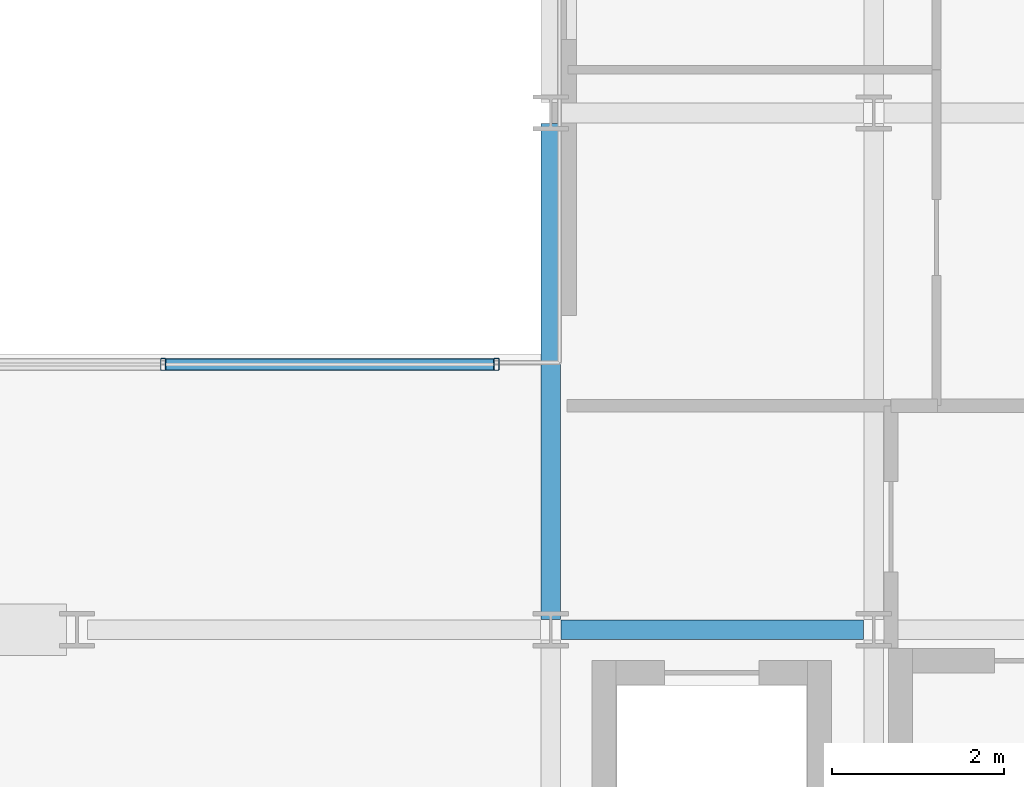
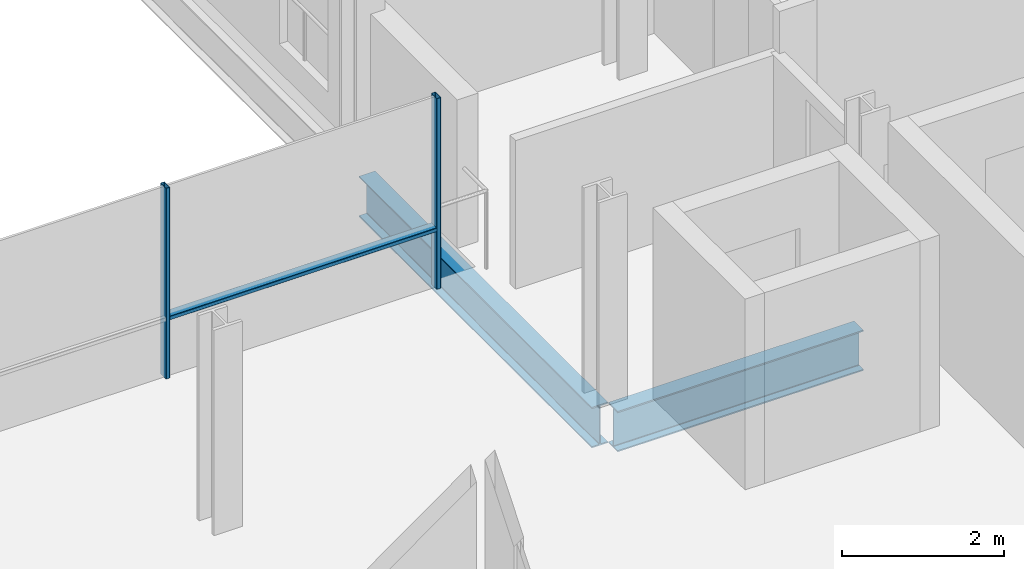
# One storey, part 13 of 39: 3 members, 2 beams, 1 element without a shape of its own.
"""IFC4 building model written with IfcOpenShell, lengths in metres."""

from ifc_helpers import new_model, si_unit, direction, frame, origin, origin_2d, place, context, subcontext, project, spatial, hollow_rectangle, i_section, extrude, material, layer, layer_set, material_profile, profile_set, type_object, element, aggregate, save


model = new_model("IFC4")

# Units and contexts
model_context = context("Model", 3, precision=1e-05, world=origin(), true_north=direction((0.0, 1.0)))
body_context = subcontext(model_context, "Body", "Model", "MODEL_VIEW")
ifc_project = project(units=[si_unit("LENGTHUNIT", "METRE"), si_unit("AREAUNIT", "SQUARE_METRE"), si_unit("VOLUMEUNIT", "CUBIC_METRE"), si_unit("PLANEANGLEUNIT", "RADIAN"), si_unit("MASSUNIT", "GRAM", prefix="KILO")], contexts=[model_context])

# Site, building, storey
site_placement = place(None, origin())
site = spatial("IfcSite", under=ifc_project, at=site_placement, CompositionType="ELEMENT")
building_placement = place(site_placement, origin())
building = spatial("IfcBuilding", under=site, at=building_placement, Name="Brevholm Reach", CompositionType="ELEMENT")
storey_placement = place(building_placement, frame((0.0, 0.0, 115.89990234375)))
storey = spatial("IfcBuildingStorey", under=building, at=storey_placement, Name="L34", CompositionType="ELEMENT", Elevation=115.89990234375)

# Beams
ifc_material_1 = material(Name="Structural Steel S355J2", Category="steel")
ifc_material_profile_1 = material_profile(ifc_material_1, i_section(OverallWidth=0.22900390625, OverallDepth=0.6123046875, WebThickness=0.011962890625, FlangeThickness=0.01953125, FilletRadius=0.0126953125, at=origin_2d()), Name="UKB 610x229x125")
ifc_profile_set_1 = profile_set([ifc_material_profile_1], Name="Structural Steel S355J2")
beam_type = type_object("IfcBeamType", Name="BM-SP610", PredefinedType="SPANDREL", material=ifc_profile_set_1)
beam_1_placement = place(storey_placement, frame((38.3701171875, 10.0, -0.526123046875), z_axis=(1.0, 0.0, 0.0), x_axis=(0.0, 1.0, 0.0)))
element("IfcBeam", 1, at=beam_1_placement, inside=storey, type_object=beam_type, Name="L34 SP-01 Framing Beam", PredefinedType="SPANDREL", context=body_context, shape_type="SweptSolid", body=[
    extrude(i_section(OverallWidth=0.22900390625, OverallDepth=0.6123046875, WebThickness=0.011962890625, FlangeThickness=0.01953125, FilletRadius=0.0126953125, at=origin_2d()), origin(), (0.0, 0.0, 1.0), 3.509765625),
])
beam_2_placement = place(storey_placement, frame((38.25, 10.1201171875, -0.526123046875), z_axis=(0.0, 1.0, 0.0), x_axis=(-1.0, 0.0, 0.0)))
element("IfcBeam", 2, at=beam_2_placement, inside=storey, type_object=beam_type, Name="L34 SP-01 Framing Beam", PredefinedType="SPANDREL", context=body_context, shape_type="SweptSolid", body=[
    extrude(i_section(OverallWidth=0.22900390625, OverallDepth=0.6123046875, WebThickness=0.011962890625, FlangeThickness=0.01953125, FilletRadius=0.0126953125, at=origin_2d()), origin(), (0.0, 0.0, 1.0), 5.759765625),
])

# Curtain wall, members
ifc_material_2 = material(Name="Dark Anodised Aluminium 6063-T6 and Solar-Control Glass", Category="aluminium")
ifc_layer = layer(ifc_material_2, 0.139892578125)
ifc_layer_set = layer_set([ifc_layer], Name="Dark Anodised Aluminium 6063-T6 and Solar-Control Glass")
curtain_wall_type = type_object("IfcCurtainWallType", Name="CW-02", PredefinedType="NOTDEFINED", material=ifc_layer_set)
curtain_wall_placement = place(storey_placement, origin())
curtain_wall = element("IfcCurtainWall", 3, at=curtain_wall_placement, inside=storey, type_object=curtain_wall_type, Name="L34 Curtain Wall CW-02", PredefinedType="NOTDEFINED")
ifc_material_3 = material(Name="Dark Anodised Aluminium 6063-T6", Category="aluminium")
ifc_material_profile_2 = material_profile(ifc_material_3, hollow_rectangle(XDim=0.06005859375, YDim=0.139892578125, WallThickness=0.0048828125, InnerFilletRadius=0.0048828125, OuterFilletRadius=0.010009765625, at=origin_2d()), Name="RHS 140x60x5")
ifc_profile_set_2 = profile_set([ifc_material_profile_2], Name="Dark Anodised Aluminium 6063-T6")
member_type_1 = type_object("IfcMemberType", Name="CWM-140", PredefinedType="MULLION", material=ifc_profile_set_2)
member_1_placement = place(storey_placement, frame((33.75, 13.080078125, 0.0), z_axis=(0.0, 0.0, 1.0), x_axis=(1.0, 0.0, 0.0)))
member_1 = element("IfcMember", 4, at=member_1_placement, type_object=member_type_1, Name="CM-140 Mullion 4", PredefinedType="MULLION", context=body_context, shape_type="SweptSolid", body=[
    extrude(hollow_rectangle(XDim=0.06005859375, YDim=0.139892578125, WallThickness=0.0048828125, InnerFilletRadius=0.0048828125, OuterFilletRadius=0.010009765625, at=origin_2d()), origin(), (0.0, 0.0, 1.0), 2.880126953125),
])
member_2_placement = place(storey_placement, frame((37.6201171875, 13.080078125, 0.0), z_axis=(0.0, 0.0, 1.0), x_axis=(1.0, 0.0, 0.0)))
member_2 = element("IfcMember", 5, at=member_2_placement, type_object=member_type_1, Name="CM-140 Mullion 5", PredefinedType="MULLION", context=body_context, shape_type="SweptSolid", body=[
    extrude(hollow_rectangle(XDim=0.06005859375, YDim=0.139892578125, WallThickness=0.0048828125, InnerFilletRadius=0.0048828125, OuterFilletRadius=0.010009765625, at=origin_2d()), origin(), (0.0, 0.0, 1.0), 2.880126953125),
])
ifc_material_4 = material(Name="Dark Anodised Aluminium 6063-T6", Category="aluminium")
ifc_material_profile_3 = material_profile(ifc_material_4, hollow_rectangle(XDim=0.06005859375, YDim=0.139892578125, WallThickness=0.0048828125, InnerFilletRadius=0.0048828125, OuterFilletRadius=0.010009765625, at=origin_2d()), Name="RHS 140x60x5")
ifc_profile_set_3 = profile_set([ifc_material_profile_3], Name="Dark Anodised Aluminium 6063-T6")
member_type_2 = type_object("IfcMemberType", Name="CWT-140", PredefinedType="NOTDEFINED", material=ifc_profile_set_3)
member_3_placement = place(storey_placement, frame((33.780029296875, 13.080078125, 0.900146484375), z_axis=(1.0, 0.0, 0.0), x_axis=(0.0, 0.0, 1.0)))
member_3 = element("IfcMember", 6, at=member_3_placement, type_object=member_type_2, Name="CT-140 Transom 4.1", ObjectType="TRANSOM", PredefinedType="USERDEFINED", context=body_context, shape_type="SweptSolid", body=[
    extrude(hollow_rectangle(XDim=0.06005859375, YDim=0.139892578125, WallThickness=0.0048828125, InnerFilletRadius=0.0048828125, OuterFilletRadius=0.010009765625, at=origin_2d()), origin(), (0.0, 0.0, 1.0), 3.81005859375),
])
aggregate(curtain_wall, [member_1, member_2, member_3])

save(model, "model.ifc")
